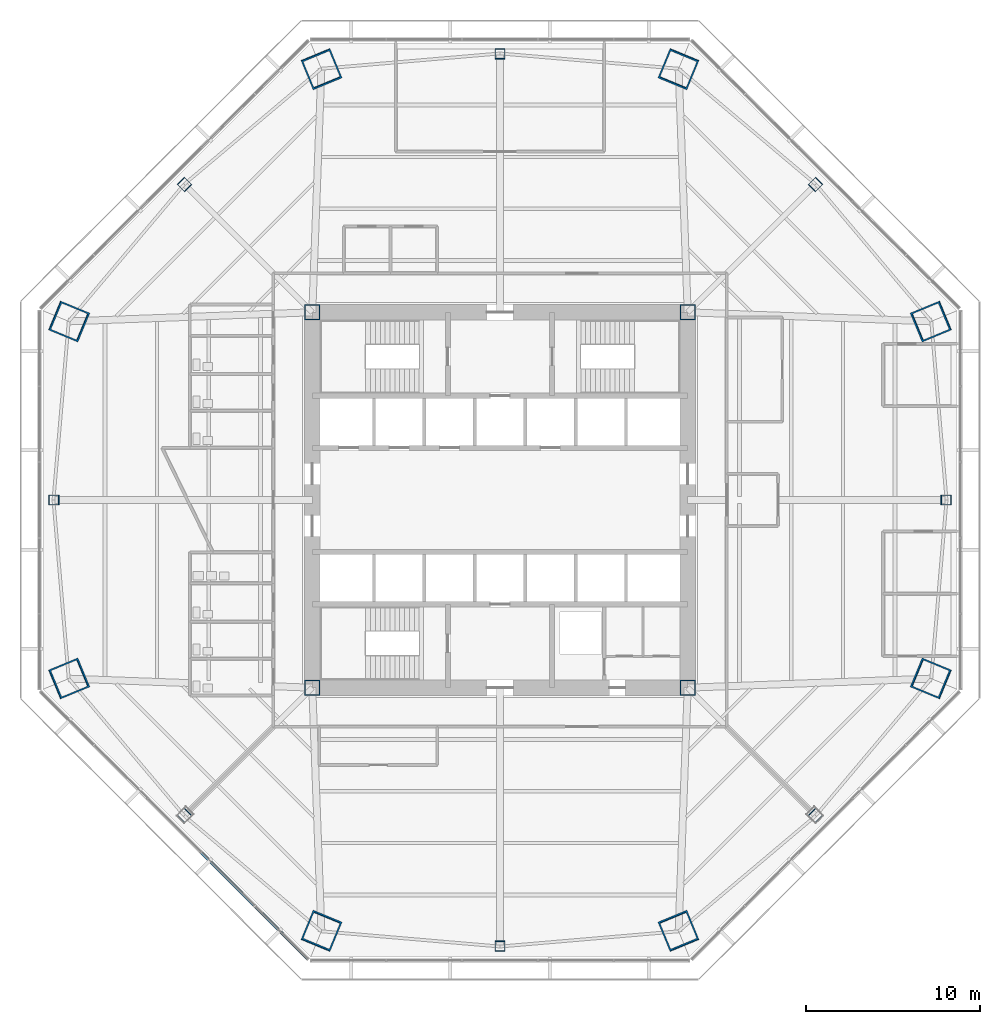
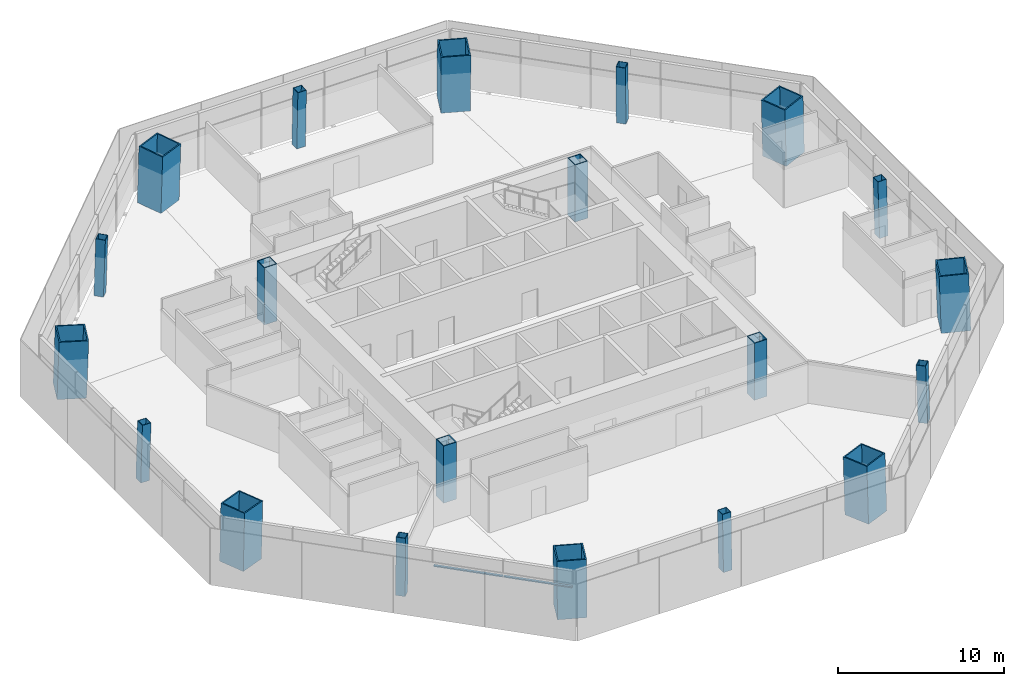
# One storey, part 1 of 14: 20 columns, 2 members, 1 element without a shape of its own.
"""IFC4 building model written with IfcOpenShell, lengths in metres."""

import ifcopenshell
import ifcopenshell.guid

model = None  # the IFC model being written
_history = None  # IfcOwnerHistory: only IFC2X3 demands one
_inside = {}  # id of a spatial element -> (the spatial element, [elements in it])
_under = {}  # id of a project, library or spatial element -> (it, [spatial elements below it])
_declared = {}  # id of a project -> (the project, [libraries it declares])
_typed = {}  # id of a type object -> (the type object, [elements of that type])
_made_of = {}  # id of a material, layer set ... -> (it, [elements and type objects made of it])


def new_model(schema):
    """Start an empty IFC model of exactly this schema.

    Asked for "IFC4X3", IfcOpenShell would pick the latest addendum, in which some entities
    have other attributes; the version numbers below select the first issue.
    IFC2X3 requires an IfcOwnerHistory on every rooted entity: one is made here for all.
    """
    global model, _history
    if schema == "IFC4X3":
        model = ifcopenshell.file(schema_version=(4, 3, 0, 0))
    else:
        model = ifcopenshell.file(schema=schema)
    _inside.clear()
    _under.clear()
    _declared.clear()
    _typed.clear()
    _made_of.clear()
    _history = None
    if model.schema == "IFC2X3":
        org = make("IfcOrganization", Name="unknown")
        user = make(
            "IfcPersonAndOrganization",
            ThePerson=make("IfcPerson", FamilyName="unknown"),
            TheOrganization=org,
        )
        app = make(
            "IfcApplication",
            ApplicationDeveloper=org,
            Version="unknown",
            ApplicationFullName="unknown",
            ApplicationIdentifier="unknown",
        )
        _history = make(
            "IfcOwnerHistory",
            OwningUser=user,
            OwningApplication=app,
            ChangeAction="ADDED",
            CreationDate=0,
        )
    return model


def make(cls, **values):
    """One entity of the class cls with the attributes given. An attribute that is None is left unset."""
    return model.create_entity(
        cls, **{name: value for name, value in values.items() if value is not None}
    )


def rooted(cls, **values):
    """An entity with a GlobalId (a new one), such as an element, a storey or a relation."""
    return make(cls, GlobalId=ifcopenshell.guid.new(), OwnerHistory=_history, **values)


def si_unit(unit_type, name, prefix=None):
    """IfcSIUnit, for example si_unit("LENGTHUNIT", "METRE", prefix="MILLI")."""
    return make("IfcSIUnit", UnitType=unit_type, Prefix=prefix, Name=name)


def assignment(units):
    """IfcUnitAssignment: the units of a project."""
    return None if units is None else make("IfcUnitAssignment", Units=units)


def point(xyz):
    """IfcCartesianPoint."""
    return None if xyz is None else make("IfcCartesianPoint", Coordinates=xyz)


def direction(xyz):
    """IfcDirection."""
    return None if xyz is None else make("IfcDirection", DirectionRatios=xyz)


def frame(location, z_axis=None, x_axis=None):
    """IfcAxis2Placement3D, a coordinate frame: its origin and axes. An axis left out is left unset."""
    return make(
        "IfcAxis2Placement3D",
        Location=point(location),
        Axis=direction(z_axis),
        RefDirection=direction(x_axis),
    )


def frame_2d(location, x_axis=None):
    """IfcAxis2Placement2D, a coordinate frame in the plane: its origin and x axis."""
    return make(
        "IfcAxis2Placement2D", Location=point(location), RefDirection=direction(x_axis)
    )


def origin():
    """The frame at (0, 0, 0) with its axes left unset."""
    return frame((0.0, 0.0, 0.0))


def origin_2d():
    """The frame at (0, 0) in the plane with its x axis left unset."""
    return frame_2d((0.0, 0.0))


def place(relative_to, where):
    """IfcLocalPlacement: puts the frame where relative to a parent placement (None: the world)."""
    return make(
        "IfcLocalPlacement", PlacementRelTo=relative_to, RelativePlacement=where
    )


def context(
    kind, dimensions, precision=None, world=None, true_north=None, identifier=None
):
    """IfcGeometricRepresentationContext, for example the 3D "Model" context."""
    return make(
        "IfcGeometricRepresentationContext",
        ContextIdentifier=identifier,
        ContextType=kind,
        CoordinateSpaceDimension=dimensions,
        Precision=precision,
        WorldCoordinateSystem=world,
        TrueNorth=true_north,
    )


def subcontext(parent, identifier, kind, view, scale=None):
    """IfcGeometricRepresentationSubContext, for example "Body" below "Model"."""
    return make(
        "IfcGeometricRepresentationSubContext",
        ContextIdentifier=identifier,
        ContextType=kind,
        ParentContext=parent,
        TargetScale=scale,
        TargetView=view,
    )


def project(units=None, contexts=None):
    """IfcProject with its units and contexts."""
    return rooted(
        "IfcProject",
        Name="project",
        RepresentationContexts=contexts,
        UnitsInContext=assignment(units),
    )


def spatial(cls, under=None, at=None, **own):
    """A site, building, storey or space (cls), placed at a placement, below another one or the project."""
    s = rooted(cls, ObjectPlacement=at, **own)
    if under is not None:
        _under.setdefault(under.id(), (under, []))[1].append(s)
    return s


def profile(cls, at=None, kind="AREA", **sizes):
    """A parametric profile (cls). Its sizes go by their IFC names, for example OverallWidth=200.0."""
    return make(cls, ProfileType=kind, Position=at, **sizes)


def rectangle(**sizes):
    """IfcRectangleProfileDef."""
    return profile("IfcRectangleProfileDef", **sizes)


def hollow_rectangle(**sizes):
    """IfcRectangleHollowProfileDef."""
    return profile("IfcRectangleHollowProfileDef", **sizes)


def extrude(swept, where, along, depth):
    """IfcExtrudedAreaSolid: the profile swept, set in the frame where, extruded along a direction by depth."""
    return make(
        "IfcExtrudedAreaSolid",
        SweptArea=swept,
        Position=where,
        ExtrudedDirection=direction(along),
        Depth=depth,
    )


def shape(context_of_items, identifier, shape_type, items):
    """IfcShapeRepresentation: the items that make up one representation, for example the "Body"."""
    return make(
        "IfcShapeRepresentation",
        ContextOfItems=context_of_items,
        RepresentationIdentifier=identifier,
        RepresentationType=shape_type,
        Items=items,
    )


def source(mapping_origin, context_of_items, identifier, shape_type, items):
    """IfcRepresentationMap: a shape defined once, which mapped items show again and again."""
    return make(
        "IfcRepresentationMap",
        MappingOrigin=mapping_origin,
        MappedRepresentation=shape(context_of_items, identifier, shape_type, items),
    )


def transform(
    local_origin,
    x_axis=None,
    y_axis=None,
    z_axis=None,
    scale=None,
    scale2=None,
    scale3=None,
    uniform=True,
):
    """IfcCartesianTransformationOperator3D, or its non-uniform kind. x_axis, y_axis, z_axis: its Axis1, 2, 3."""
    if uniform:
        return make(
            "IfcCartesianTransformationOperator3D",
            Axis1=direction(x_axis),
            Axis2=direction(y_axis),
            LocalOrigin=point(local_origin),
            Scale=scale,
            Axis3=direction(z_axis),
        )
    return make(
        "IfcCartesianTransformationOperator3DnonUniform",
        Axis1=direction(x_axis),
        Axis2=direction(y_axis),
        LocalOrigin=point(local_origin),
        Scale=scale,
        Axis3=direction(z_axis),
        Scale2=scale2,
        Scale3=scale3,
    )


def mapped(mapping_source, mapping_target):
    """IfcMappedItem: shows the shape of a source again, moved by a transform."""
    return make(
        "IfcMappedItem", MappingSource=mapping_source, MappingTarget=mapping_target
    )


def material(Name=None, Category=None):
    """IfcMaterial."""
    return make("IfcMaterial", Name=Name, Category=Category)


def material_profile(
    of_material, cross_section, Name=None, Category=None, Priority=None
):
    """IfcMaterialProfile: a cross section and its material."""
    return make(
        "IfcMaterialProfile",
        Name=Name,
        Material=of_material,
        Profile=cross_section,
        Priority=Priority,
        Category=Category,
    )


def profile_set(profiles, Name=None, composite=None):
    """IfcMaterialProfileSet."""
    return make(
        "IfcMaterialProfileSet",
        Name=Name,
        MaterialProfiles=profiles,
        CompositeProfile=composite,
    )


def made_of(thing, what):
    """Note that an element or type object is made of a material, layer set ...; save() writes the relation."""
    if what is not None:
        _made_of.setdefault(what.id(), (what, []))[1].append(thing)
    return thing


def type_object(cls, material=None, **own):
    """A type object (cls), such as IfcWallType, which elements share."""
    return made_of(rooted(cls, **own), material)


def type_shapes(of_type, sources):
    """Give a type object the sources (RepresentationMaps) that its elements show as mapped items."""
    of_type.RepresentationMaps = sources


def element(
    cls,
    number,
    at=None,
    inside=None,
    cuts=None,
    type_object=None,
    material=None,
    context=None,
    identifier="Body",
    shape_type=None,
    held_by="IfcProductDefinitionShape",
    body=None,
    shapes=None,
    **own,
):
    """One element of the class cls, such as IfcWall. Its Tag is "e" and its number.

    at: its placement. inside: the storey or other place that contains it. cuts: it is an
    opening in that element (IfcRelVoidsElement). A single representation is given by context,
    identifier, shape_type and body (its items); several are given by shapes. held_by: the class
    of the entity that holds the representations. save() writes the other relations.
    """
    e = rooted(cls, Tag="e%d" % number, ObjectPlacement=at, **own)
    if body is not None:
        shapes = [shape(context, identifier, shape_type, body)]
    if shapes is not None:
        e.Representation = make(held_by, Representations=shapes)
    if inside is not None:
        _inside.setdefault(inside.id(), (inside, []))[1].append(e)
    if cuts is not None:
        rooted(
            "IfcRelVoidsElement", RelatingBuildingElement=cuts, RelatedOpeningElement=e
        )
    if type_object is not None:
        _typed.setdefault(type_object.id(), (type_object, []))[1].append(e)
    return made_of(e, material)


def aggregate(whole, parts):
    """IfcRelAggregates: a whole, such as a stair, and the parts it consists of."""
    return rooted("IfcRelAggregates", RelatingObject=whole, RelatedObjects=parts)


def save(model, path):
    """Write the relations noted so far, then the file.

    IfcRelAggregates (storeys below a building ...), IfcRelContainedInSpatialStructure (elements
    in a storey), IfcRelDefinesByType, IfcRelAssociatesMaterial and IfcRelDeclares: one each for
    every whole, place, type object, material and project.
    """
    for whole, parts in _under.values():
        aggregate(whole, parts)
    for where, things in _inside.values():
        rooted(
            "IfcRelContainedInSpatialStructure",
            RelatedElements=things,
            RelatingStructure=where,
        )
    for kind, things in _typed.values():
        rooted("IfcRelDefinesByType", RelatedObjects=things, RelatingType=kind)
    for what, things in _made_of.values():
        rooted("IfcRelAssociatesMaterial", RelatedObjects=things, RelatingMaterial=what)
    for by, libraries in _declared.values():
        rooted("IfcRelDeclares", RelatingContext=by, RelatedDefinitions=libraries)
    model.write(path)


model = new_model("IFC4")

# Units and contexts
model_context = context("Model", 3, precision=1e-05, world=origin(), true_north=direction((0.0, 1.0)))
body_context = subcontext(model_context, "Body", "Model", "MODEL_VIEW")
ifc_project = project(units=[si_unit("LENGTHUNIT", "METRE"), si_unit("AREAUNIT", "SQUARE_METRE"), si_unit("VOLUMEUNIT", "CUBIC_METRE"), si_unit("PLANEANGLEUNIT", "RADIAN"), si_unit("MASSUNIT", "GRAM", prefix="KILO")], contexts=[model_context])

# Site, building, storey
site_placement = place(None, origin())
site = spatial("IfcSite", under=ifc_project, at=site_placement, CompositionType="ELEMENT")
building_placement = place(site_placement, origin())
building = spatial("IfcBuilding", under=site, at=building_placement, Name="Mashrafa Tower", CompositionType="ELEMENT")
storey_placement = place(building_placement, frame((0.0, 0.0, 54.0)))
storey = spatial("IfcBuildingStorey", under=building, at=storey_placement, Name="L11", CompositionType="ELEMENT", Elevation=54.0)

# Columns
ifc_material_1 = material(Name="Steel ASTM A572 Gr 50", Category="steel")
ifc_material_profile_1 = material_profile(ifc_material_1, hollow_rectangle(XDim=0.89990234375, YDim=0.89990234375, WallThickness=0.06005859375, at=origin_2d()), Name="BOX900X900X60")
ifc_profile_set_1 = profile_set([ifc_material_profile_1], Name="Steel ASTM A572 Gr 50")
column_type_1 = type_object("IfcColumnType", Name="Core corner column BOX900X900X60", PredefinedType="COLUMN", material=ifc_profile_set_1)
for number, where, z_axis, x_axis, name in (
    (1, (10.800048828125, 10.800048828125, 0.0), (0.0, 0.0, 1.0), (1.0, 0.0, 0.0), "Core corner column CC-NE L11"),
    (2, (-10.800048828125, 10.800048828125, 0.0), (0.0, 0.0, 1.0), (1.0, 0.0, 0.0), "Core corner column CC-NW L11"),
    (3, (-10.800048828125, -10.800048828125, 0.0), (0.0, 0.0, 1.0), (1.0, 0.0, 0.0), "Core corner column CC-SW L11"),
    (4, (10.800048828125, -10.800048828125, 0.0), (0.0, 0.0, 1.0), (1.0, 0.0, 0.0), "Core corner column CC-SE L11"),
):
    element("IfcColumn", number, at=place(storey_placement, frame(where, z_axis=z_axis, x_axis=x_axis)), inside=storey, type_object=column_type_1, Name=name, PredefinedType="COLUMN", context=body_context, shape_type="SweptSolid", body=[
        extrude(hollow_rectangle(XDim=0.89990234375, YDim=0.89990234375, WallThickness=0.06005859375, at=origin_2d()), origin(), (0.0, 0.0, 1.0), 4.199951171875),
    ])
ifc_material_2 = material(Name="Steel ASTM A572 Gr 50", Category="steel")
ifc_material_profile_2 = material_profile(ifc_material_2, hollow_rectangle(XDim=1.800048828125, YDim=1.800048828125, WallThickness=0.0849609375, at=origin_2d()), Name="BOX1800X1800X85")
ifc_profile_set_2 = profile_set([ifc_material_profile_2], Name="Steel ASTM A572 Gr 50")
column_type_2 = type_object("IfcColumnType", Name="Mega column CFST BOX1800X1800X85", PredefinedType="COLUMN", material=ifc_profile_set_2)
for number, where, z_axis, x_axis, name in (
    (5, (24.808837890625, 10.276123046875, 0.0), (-0.028237693676, -0.011678552323, 0.999533012997), (0.382183844423, -0.924086310396, 0.0), "Mega column MC1 L11"),
    (6, (10.276123046875, 24.808837890625, 0.0), (-0.011678552323, -0.028237693676, 0.999533012997), (0.924086310396, -0.382183844423, 0.0), "Mega column MC2 L11"),
    (7, (-10.276123046875, 24.808837890625, 0.0), (0.011678552323, -0.028237693676, 0.999533012997), (0.924086310396, 0.382183844423, 0.0), "Mega column MC3 L11"),
    (8, (-24.808837890625, 10.276123046875, 0.0), (0.028237693676, -0.011678552323, 0.999533012997), (0.382183844423, 0.924086310396, 0.0), "Mega column MC4 L11"),
    (9, (-24.808837890625, -10.276123046875, 0.0), (0.028237693676, 0.011678552323, 0.999533012997), (-0.382183844423, 0.924086310396, 0.0), "Mega column MC5 L11"),
    (10, (-10.276123046875, -24.808837890625, 0.0), (0.011678552323, 0.028237693676, 0.999533012997), (-0.924086310396, 0.382183844423, 0.0), "Mega column MC6 L11"),
    (11, (10.276123046875, -24.808837890625, 0.0), (-0.011678552323, 0.028237693676, 0.999533012997), (-0.924086310396, -0.382183844423, 0.0), "Mega column MC7 L11"),
    (12, (24.808837890625, -10.276123046875, 0.0), (-0.028237693676, 0.011678552323, 0.999533012997), (-0.382183844423, -0.924086310396, 0.0), "Mega column MC8 L11"),
):
    element("IfcColumn", number, at=place(storey_placement, frame(where, z_axis=z_axis, x_axis=x_axis)), inside=storey, type_object=column_type_2, Name=name, PredefinedType="COLUMN", context=body_context, shape_type="SweptSolid", body=[
        extrude(hollow_rectangle(XDim=1.800048828125, YDim=1.800048828125, WallThickness=0.0849609375, at=origin_2d()), origin(), (0.0, 0.0, 1.0), 4.201904296875),
    ])
ifc_material_3 = material(Name="Steel ASTM A572 Gr 50", Category="steel")
ifc_material_profile_3 = material_profile(ifc_material_3, hollow_rectangle(XDim=0.60009765625, YDim=0.60009765625, WallThickness=0.031982421875, at=origin_2d()), Name="BOX600X600X32")
ifc_profile_set_3 = profile_set([ifc_material_profile_3], Name="Steel ASTM A572 Gr 50")
column_type_3 = type_object("IfcColumnType", Name="Secondary column BOX600X600X32", PredefinedType="COLUMN", material=ifc_profile_set_3)
for number, where, z_axis, x_axis, name in (
    (13, (25.68701171875, 0.0, 0.0), (-0.028239619523, 0.0, 0.999601182417), (0.0, -1.0, 0.0), "Secondary column SC1 L11"),
    (14, (18.16357421875, 18.16357421875, 0.0), (-0.019988521213, -0.019988521213, 0.999600379171), (0.707106781187, -0.707106781187, 0.0), "Secondary column SC2 L11"),
    (15, (0.0, 25.68701171875, 0.0), (0.0, -0.028239619523, 0.999601182417), (1.0, 0.0, 0.0), "Secondary column SC3 L11"),
    (16, (-18.16357421875, 18.16357421875, 0.0), (0.019988521213, -0.019988521213, 0.999600379171), (0.707106781187, 0.707106781187, 0.0), "Secondary column SC4 L11"),
    (17, (-25.68701171875, 0.0, 0.0), (0.028239619523, 0.0, 0.999601182417), (0.0, 1.0, 0.0), "Secondary column SC5 L11"),
    (18, (-18.16357421875, -18.16357421875, 0.0), (0.019988521213, 0.019988521213, 0.999600379171), (-0.707106781187, 0.707106781187, 0.0), "Secondary column SC6 L11"),
    (19, (0.0, -25.68701171875, 0.0), (0.0, 0.028239619523, 0.999601182417), (-1.0, 0.0, 0.0), "Secondary column SC7 L11"),
    (20, (18.16357421875, -18.16357421875, 0.0), (-0.019988521213, 0.019988521213, 0.999600379171), (-0.707106781187, -0.707106781187, 0.0), "Secondary column SC8 L11"),
):
    element("IfcColumn", number, at=place(storey_placement, frame(where, z_axis=z_axis, x_axis=x_axis)), inside=storey, type_object=column_type_3, Name=name, PredefinedType="COLUMN", context=body_context, shape_type="SweptSolid", body=[
        extrude(hollow_rectangle(XDim=0.60009765625, YDim=0.60009765625, WallThickness=0.031982421875, at=origin_2d()), origin(), (0.0, 0.0, 1.0), 4.20166015625),
    ])

# Curtain wall, members
ifc_material_4 = material(Name="Unitised aluminium curtain wall", Category="aluminium")
curtain_wall_type = type_object("IfcCurtainWallType", Name="Office curtain wall, zone 1 CW-A 200 deep", PredefinedType="NOTDEFINED", material=ifc_material_4)
curtain_wall_placement = place(storey_placement, origin())
curtain_wall = element("IfcCurtainWall", 21, at=curtain_wall_placement, inside=storey, type_object=curtain_wall_type, Name="Office curtain wall, zone 1 L11 south-west", PredefinedType="NOTDEFINED")
ifc_material_5 = material(Name="Extruded aluminium transom", Category="aluminium")
ifc_material_profile_4 = material_profile(ifc_material_5, rectangle(XDim=0.159912109375, YDim=0.080078125, at=origin_2d()), Name="Transom 80x160")
ifc_profile_set_4 = profile_set([ifc_material_profile_4], Name="Extruded aluminium transom")
member_type = type_object("IfcMemberType", Name="Transom CW-A 80 x 160", PredefinedType="MULLION", material=ifc_profile_set_4)
shared_shape_1 = source(origin(), body_context, "Body", "SweptSolid", [
    extrude(rectangle(XDim=0.159912109375, YDim=0.080078125, at=origin_2d()), origin(), (0.0, 0.0, 1.0), 4.302734375),
])
member_1_placement = place(storey_placement, frame((-17.161865234375, -20.296630859375, 3.0), z_axis=(0.707106781187, -0.707106781187, 0.0), x_axis=(0.707106781187, 0.707106781187, 0.0)))
member_1 = element("IfcMember", 22, at=member_1_placement, type_object=member_type, Name="CW-A transom 4", PredefinedType="MULLION", context=body_context, shape_type="MappedRepresentation", body=[
    mapped(shared_shape_1, transform((0.0, 0.0, 0.0))),
])
shared_shape_2 = source(origin(), body_context, "Body", "SweptSolid", [
    extrude(rectangle(XDim=0.159912109375, YDim=0.080078125, at=origin_2d()), origin(), (0.0, 0.0, 1.0), 4.270263671875),
])
type_shapes(member_type, [shared_shape_1, shared_shape_2])
member_2_placement = place(storey_placement, frame((-14.0732421875, -23.38525390625, 3.0), z_axis=(0.707106781187, -0.707106781187, 0.0), x_axis=(0.707106781187, 0.707106781187, 0.0)))
member_2 = element("IfcMember", 23, at=member_2_placement, type_object=member_type, Name="CW-A transom 5", PredefinedType="MULLION", context=body_context, shape_type="MappedRepresentation", body=[
    mapped(shared_shape_2, transform((0.0, 0.0, 0.0))),
])
aggregate(curtain_wall, [member_1, member_2])

save(model, "model.ifc")
